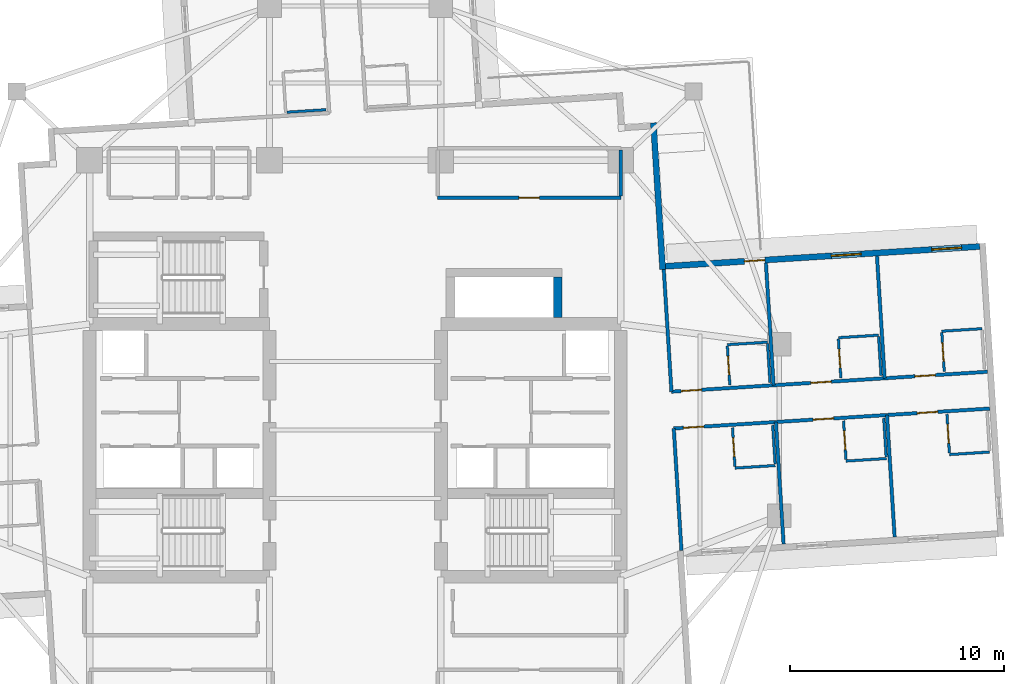
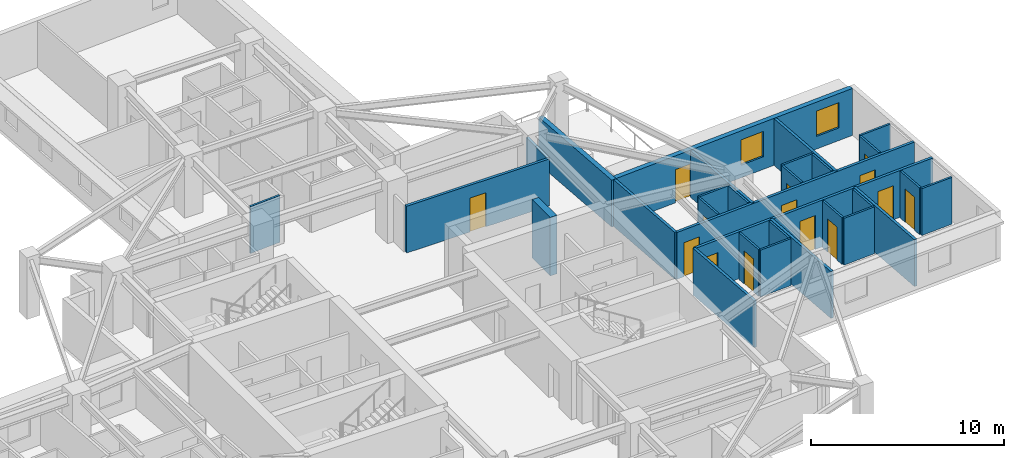
# One storey, part 7 of 14: 30 walls, 14 doors, 2 windows, 16 openings.
"""IFC4 building model written with IfcOpenShell, lengths in metres."""

from ifc_helpers import new_model, si_unit, direction, frame, frame_2d, origin, place, context, subcontext, project, spatial, rectangle, extrude, material, layer, layer_set, type_object, element, fill, save


model = new_model("IFC4")

# Units and contexts
model_context = context("Model", 3, precision=1e-05, world=origin(), true_north=direction((0.0, 1.0)))
body_context = subcontext(model_context, "Body", "Model", "MODEL_VIEW")
ifc_project = project(units=[si_unit("LENGTHUNIT", "METRE"), si_unit("AREAUNIT", "SQUARE_METRE"), si_unit("VOLUMEUNIT", "CUBIC_METRE"), si_unit("PLANEANGLEUNIT", "RADIAN"), si_unit("MASSUNIT", "GRAM", prefix="KILO")], contexts=[model_context])

# Site, building, storey
site_placement = place(None, origin())
site = spatial("IfcSite", under=ifc_project, at=site_placement, CompositionType="ELEMENT")
building_placement = place(site_placement, origin())
building = spatial("IfcBuilding", under=site, at=building_placement, Name="Qingluan Cross Belvedere", CompositionType="ELEMENT")
storey_placement = place(building_placement, frame((0.0, 0.0, 128.10009765625)))
storey = spatial("IfcBuildingStorey", under=building, at=storey_placement, Name="L32", CompositionType="ELEMENT", Elevation=128.10009765625)

# Wall
ifc_material_1 = material(Name="Concrete C50", Category="concrete")
ifc_layer_1 = layer(ifc_material_1, 0.449951171875, Name="CoreShearWall_450")
ifc_layer_set_1 = layer_set([ifc_layer_1], Name="Concrete C50")
wall_type_1 = type_object("IfcWallType", Name="CoreShearWall_450", PredefinedType="SHEAR", material=ifc_layer_set_1)
wall_1_placement = place(storey_placement, frame((9.449951171875, 5.2548828125, 0.0), z_axis=(0.0, 0.0, 1.0), x_axis=(0.0, 1.0, 0.0)))
element("IfcWall", 1, at=wall_1_placement, inside=storey, type_object=wall_type_1, Name="Express shuttle core wall L32-E", PredefinedType="SHEAR", context=body_context, shape_type="SweptSolid", body=[
    extrude(rectangle(XDim=1.885009765625, YDim=0.39990234375, at=frame_2d((0.9423828125, 0.0))), origin(), (0.0, 0.0, 1.0), 3.699951171875),
])

# Wall, opening, door
ifc_material_2 = material(Name="Gypsum plasterboard on steel stud acoustic partition", Category="steel")
ifc_layer_2 = layer(ifc_material_2, 0.159912109375, Name="CorridorPartition_160")
ifc_layer_set_2 = layer_set([ifc_layer_2], Name="Gypsum plasterboard on steel stud acoustic partition")
wall_type_2 = type_object("IfcWallType", Name="CorridorPartition_160", PredefinedType="PARTITIONING", material=ifc_layer_set_2)
wall_2_placement = place(storey_placement, frame((3.85009765625, 10.85009765625, 0.0), z_axis=(0.0, 0.0, 1.0), x_axis=(1.0, 0.0, 0.0)))
wall_2 = element("IfcWall", 2, at=wall_2_placement, inside=storey, type_object=wall_type_2, Name="Partition L32:q_ne:S", PredefinedType="PARTITIONING", context=body_context, shape_type="SweptSolid", body=[
    extrude(rectangle(XDim=8.5498046875, YDim=0.159912109375, at=frame_2d((4.27490234375, 0.0))), origin(), (0.0, 0.0, 1.0), 2.9599609375),
])
opening_1_placement = place(wall_2_placement, frame((3.794921875, 0.0, 0.0)))
opening_1 = element("IfcOpeningElement", 3, at=opening_1_placement, cuts=wall_2, Name="Opening GD-10", PredefinedType="OPENING", context=body_context, shape_type="SweptSolid", body=[
    extrude(rectangle(XDim=0.9599609375, YDim=2.14990234375, at=frame_2d((0.47998046875, 1.074951171875))), frame((0.0, 0.08984375, 0.0), z_axis=(0.0, -1.0, 0.0), x_axis=(1.0, 0.0, 0.0)), (0.0, 0.0, 1.0), 0.179931640625),
])
ifc_material_3 = material(Name="Timber oak fire-rated acoustic guestroom door", Category="wood")
door_type_1 = type_object("IfcDoorType", Name="GuestEntryDoor_FD60", OperationType="NOTDEFINED", PredefinedType="DOOR", material=ifc_material_3)
door_1_placement = place(opening_1_placement, origin())
door_1 = element("IfcDoor", 4, at=door_1_placement, inside=storey, type_object=door_type_1, Name="Pilates movement studio L32 door", OperationType="SINGLE_SWING_LEFT", OverallHeight=2.14990234375, OverallWidth=0.9599609375, PredefinedType="DOOR", context=body_context, shape_type="SweptSolid", body=[
    extrude(rectangle(XDim=0.9599609375, YDim=2.14990234375, at=frame_2d((0.47998046875, 1.074951171875))), frame((0.0, 0.02490234375, 0.0), z_axis=(0.0, -1.0, 0.0), x_axis=(1.0, 0.0, 0.0)), (0.0, 0.0, 1.0), 0.050048828125),
])
fill(opening_1, door_1)

# Wall
wall_3_placement = place(storey_placement, frame((12.39990234375, 10.93505859375, 0.0), z_axis=(0.0, 0.0, 1.0), x_axis=(0.0, 1.0, 0.0)))
element("IfcWall", 5, at=wall_3_placement, inside=storey, type_object=wall_type_2, Name="Partition L32:q_ne:E", PredefinedType="PARTITIONING", context=body_context, shape_type="SweptSolid", body=[
    extrude(rectangle(XDim=2.1298828125, YDim=0.159912109375, at=frame_2d((1.06494140625, 0.0))), origin(), (0.0, 0.0, 1.0), 2.9599609375),
])

# Wall, openings, doors
wall_4_placement = place(storey_placement, frame((14.7666015625, 1.790771484375, 0.0), z_axis=(0.0, 0.0, 1.0), x_axis=(0.998026529199, 0.062793686106, 0.0)))
wall_4 = element("IfcWall", 6, at=wall_4_placement, inside=storey, type_object=wall_type_2, Name="Partition L32:E:c0", PredefinedType="PARTITIONING", context=body_context, shape_type="SweptSolid", body=[
    extrude(rectangle(XDim=14.781982421875, YDim=0.159912109375, at=frame_2d((7.39111328125, 0.0))), origin(), (0.0, 0.0, 1.0), 2.9599609375),
])
opening_2_placement = place(wall_4_placement, frame((0.449951171875, 0.0, 0.0)))
opening_2 = element("IfcOpeningElement", 7, at=opening_2_placement, cuts=wall_4, Name="Opening GD-10", PredefinedType="OPENING", context=body_context, shape_type="SweptSolid", body=[
    extrude(rectangle(XDim=0.9599609375, YDim=2.14990234375, at=frame_2d((0.47998046875, 1.074951171875))), frame((0.0, 0.08984375, 0.0), z_axis=(0.0, -1.0, 0.0), x_axis=(1.0, 0.0, 0.0)), (0.0, 0.0, 1.0), 0.179931640625),
])
opening_3_placement = place(wall_4_placement, frame((6.513916015625, 0.0, 0.0)))
opening_3 = element("IfcOpeningElement", 8, at=opening_3_placement, cuts=wall_4, Name="Opening GD-10", PredefinedType="OPENING", context=body_context, shape_type="SweptSolid", body=[
    extrude(rectangle(XDim=0.9599609375, YDim=2.14990234375, at=frame_2d((0.47998046875, 1.074951171875))), frame((0.0, 0.08984375, 0.0), z_axis=(0.0, -1.0, 0.0), x_axis=(1.0, 0.0, 0.0)), (0.0, 0.0, 1.0), 0.179931640625),
])
opening_4_placement = place(wall_4_placement, frame((11.385986328125, 0.0, 0.0)))
opening_4 = element("IfcOpeningElement", 9, at=opening_4_placement, cuts=wall_4, Name="Opening GD-10", PredefinedType="OPENING", context=body_context, shape_type="SweptSolid", body=[
    extrude(rectangle(XDim=0.9599609375, YDim=2.14990234375, at=frame_2d((0.47998046875, 1.074951171875))), frame((0.0, 0.08984375, 0.0), z_axis=(0.0, -1.0, 0.0), x_axis=(1.0, 0.0, 0.0)), (0.0, 0.0, 1.0), 0.179931640625),
])
door_2_placement = place(opening_2_placement, origin())
door_2 = element("IfcDoor", 10, at=door_2_placement, inside=storey, type_object=door_type_1, Name="Guest entry fire door 3201", OperationType="SINGLE_SWING_RIGHT", OverallHeight=2.14990234375, OverallWidth=0.9599609375, PredefinedType="DOOR", context=body_context, shape_type="SweptSolid", body=[
    extrude(rectangle(XDim=0.9599609375, YDim=2.14990234375, at=frame_2d((0.47998046875, 1.074951171875))), frame((0.0, 0.02490234375, 0.0), z_axis=(0.0, -1.0, 0.0), x_axis=(1.0, 0.0, 0.0)), (0.0, 0.0, 1.0), 0.050048828125),
])
fill(opening_2, door_2)
door_3_placement = place(opening_3_placement, origin())
door_3 = element("IfcDoor", 11, at=door_3_placement, inside=storey, type_object=door_type_1, Name="Guest entry fire door 3202", OperationType="SINGLE_SWING_RIGHT", OverallHeight=2.14990234375, OverallWidth=0.9599609375, PredefinedType="DOOR", context=body_context, shape_type="SweptSolid", body=[
    extrude(rectangle(XDim=0.9599609375, YDim=2.14990234375, at=frame_2d((0.47998046875, 1.074951171875))), frame((0.0, 0.02490234375, 0.0), z_axis=(0.0, -1.0, 0.0), x_axis=(1.0, 0.0, 0.0)), (0.0, 0.0, 1.0), 0.050048828125),
])
fill(opening_3, door_3)
door_4_placement = place(opening_4_placement, origin())
door_4 = element("IfcDoor", 12, at=door_4_placement, inside=storey, type_object=door_type_1, Name="Guest entry fire door 3203", OperationType="SINGLE_SWING_RIGHT", OverallHeight=2.14990234375, OverallWidth=0.9599609375, PredefinedType="DOOR", context=body_context, shape_type="SweptSolid", body=[
    extrude(rectangle(XDim=0.9599609375, YDim=2.14990234375, at=frame_2d((0.47998046875, 1.074951171875))), frame((0.0, 0.02490234375, 0.0), z_axis=(0.0, -1.0, 0.0), x_axis=(1.0, 0.0, 0.0)), (0.0, 0.0, 1.0), 0.050048828125),
])
fill(opening_4, door_4)

# Walls
for number, where, z_axis, x_axis, name in (
    (13, (14.7666015625, 1.790771484375, 0.0), (0.0, 0.0, 1.0), (-0.062788072387, 0.998026882386, 0.0), "Partition L32:E:s0"),
    (14, (19.535400390625, 2.0908203125, 0.0), (0.0, 0.0, 1.0), (-0.062830645762, 0.99802420309, 0.0), "Partition L32:E:d0_0"),
    (15, (24.719970703125, 2.4169921875, 0.0), (0.0, 0.0, 1.0), (-0.062788072387, 0.998026882386, 0.0), "Partition L32:E:d0_1"),
):
    element("IfcWall", number, at=place(storey_placement, frame(where, z_axis=z_axis, x_axis=x_axis)), inside=storey, type_object=wall_type_2, Name=name, PredefinedType="PARTITIONING", context=body_context, shape_type="SweptSolid", body=[
        extrude(rectangle(XDim=5.7119140625, YDim=0.159912109375, at=frame_2d((2.85595703125, 0.0))), origin(), (0.0, 0.0, 1.0), 2.9599609375),
    ])

# Wall, openings, doors
wall_5_placement = place(storey_placement, frame((14.874755859375, 0.07421875, 0.0), z_axis=(0.0, 0.0, 1.0), x_axis=(0.998027499025, 0.062778270041, 0.0)))
wall_5 = element("IfcWall", 16, at=wall_5_placement, inside=storey, type_object=wall_type_2, Name="Partition L32:E:c1", PredefinedType="PARTITIONING", context=body_context, shape_type="SweptSolid", body=[
    extrude(rectangle(XDim=14.78173828125, YDim=0.159912109375, at=frame_2d((7.390869140625, 0.0))), origin(), (0.0, 0.0, 1.0), 2.9599609375),
])
opening_5_placement = place(wall_5_placement, frame((0.449951171875, 0.0, 0.0)))
opening_5 = element("IfcOpeningElement", 17, at=opening_5_placement, cuts=wall_5, Name="Opening GD-10", PredefinedType="OPENING", context=body_context, shape_type="SweptSolid", body=[
    extrude(rectangle(XDim=0.9599609375, YDim=2.14990234375, at=frame_2d((0.47998046875, 1.074951171875))), frame((0.0, 0.08984375, 0.0), z_axis=(0.0, -1.0, 0.0), x_axis=(1.0, 0.0, 0.0)), (0.0, 0.0, 1.0), 0.179931640625),
])
opening_6_placement = place(wall_5_placement, frame((6.513916015625, 0.0, 0.0)))
opening_6 = element("IfcOpeningElement", 18, at=opening_6_placement, cuts=wall_5, Name="Opening GD-10", PredefinedType="OPENING", context=body_context, shape_type="SweptSolid", body=[
    extrude(rectangle(XDim=0.9599609375, YDim=2.14990234375, at=frame_2d((0.47998046875, 1.074951171875))), frame((0.0, 0.08984375, 0.0), z_axis=(0.0, -1.0, 0.0), x_axis=(1.0, 0.0, 0.0)), (0.0, 0.0, 1.0), 0.179931640625),
])
opening_7_placement = place(wall_5_placement, frame((11.385986328125, 0.0, 0.0)))
opening_7 = element("IfcOpeningElement", 19, at=opening_7_placement, cuts=wall_5, Name="Opening GD-10", PredefinedType="OPENING", context=body_context, shape_type="SweptSolid", body=[
    extrude(rectangle(XDim=0.9599609375, YDim=2.14990234375, at=frame_2d((0.47998046875, 1.074951171875))), frame((0.0, 0.08984375, 0.0), z_axis=(0.0, -1.0, 0.0), x_axis=(1.0, 0.0, 0.0)), (0.0, 0.0, 1.0), 0.179931640625),
])
door_5_placement = place(opening_5_placement, origin())
door_5 = element("IfcDoor", 20, at=door_5_placement, inside=storey, type_object=door_type_1, Name="Guest entry fire door 3204", OperationType="SINGLE_SWING_RIGHT", OverallHeight=2.14990234375, OverallWidth=0.9599609375, PredefinedType="DOOR", context=body_context, shape_type="SweptSolid", body=[
    extrude(rectangle(XDim=0.9599609375, YDim=2.14990234375, at=frame_2d((0.47998046875, 1.074951171875))), frame((0.0, 0.02490234375, 0.0), z_axis=(0.0, -1.0, 0.0), x_axis=(1.0, 0.0, 0.0)), (0.0, 0.0, 1.0), 0.050048828125),
])
fill(opening_5, door_5)
door_6_placement = place(opening_6_placement, origin())
door_6 = element("IfcDoor", 21, at=door_6_placement, inside=storey, type_object=door_type_1, Name="Guest entry fire door 3205", OperationType="SINGLE_SWING_RIGHT", OverallHeight=2.14990234375, OverallWidth=0.9599609375, PredefinedType="DOOR", context=body_context, shape_type="SweptSolid", body=[
    extrude(rectangle(XDim=0.9599609375, YDim=2.14990234375, at=frame_2d((0.47998046875, 1.074951171875))), frame((0.0, 0.02490234375, 0.0), z_axis=(0.0, -1.0, 0.0), x_axis=(1.0, 0.0, 0.0)), (0.0, 0.0, 1.0), 0.050048828125),
])
fill(opening_6, door_6)
door_7_placement = place(opening_7_placement, origin())
door_7 = element("IfcDoor", 22, at=door_7_placement, inside=storey, type_object=door_type_1, Name="Guest entry fire door 3206", OperationType="SINGLE_SWING_RIGHT", OverallHeight=2.14990234375, OverallWidth=0.9599609375, PredefinedType="DOOR", context=body_context, shape_type="SweptSolid", body=[
    extrude(rectangle(XDim=0.9599609375, YDim=2.14990234375, at=frame_2d((0.47998046875, 1.074951171875))), frame((0.0, 0.02490234375, 0.0), z_axis=(0.0, -1.0, 0.0), x_axis=(1.0, 0.0, 0.0)), (0.0, 0.0, 1.0), 0.050048828125),
])
fill(opening_7, door_7)

# Walls
wall_6_placement = place(storey_placement, frame((14.874755859375, 0.07421875, 0.0), z_axis=(0.0, 0.0, 1.0), x_axis=(0.062785394105, -0.998027050879, 0.0)))
element("IfcWall", 23, at=wall_6_placement, inside=storey, type_object=wall_type_2, Name="Partition L32:E:s1", PredefinedType="PARTITIONING", context=body_context, shape_type="SweptSolid", body=[
    extrude(rectangle(XDim=5.712158203125, YDim=0.159912109375, at=frame_2d((2.85595703125, 0.0))), origin(), (0.0, 0.0, 1.0), 2.9599609375),
])
for number, where, z_axis, x_axis, name in (
    (24, (19.643310546875, 0.3740234375, 0.0), (0.0, 0.0, 1.0), (0.062790750896, -0.998026713872, 0.0), "Partition L32:E:d1_0"),
    (25, (24.827880859375, 0.7001953125, 0.0), (0.0, 0.0, 1.0), (0.062833326074, -0.998024034347, 0.0), "Partition L32:E:d1_1"),
):
    element("IfcWall", number, at=place(storey_placement, frame(where, z_axis=z_axis, x_axis=x_axis)), inside=storey, type_object=wall_type_2, Name=name, PredefinedType="PARTITIONING", context=body_context, shape_type="SweptSolid", body=[
        extrude(rectangle(XDim=5.711669921875, YDim=0.159912109375, at=frame_2d((2.85595703125, 0.0))), origin(), (0.0, 0.0, 1.0), 2.9599609375),
    ])

# Wall, opening, door
ifc_material_4 = material(Name="Moisture-resistant gypsum board lining")
ifc_layer_3 = layer(ifc_material_4, 0.1201171875, Name="EnsuiteWetPartition_120")
ifc_layer_set_3 = layer_set([ifc_layer_3], Name="Moisture-resistant gypsum board lining")
wall_type_3 = type_object("IfcWallType", Name="EnsuiteWetPartition_120", PredefinedType="PARTITIONING", material=ifc_layer_set_3)
wall_7_placement = place(storey_placement, frame((17.490478515625, 2.102294921875, 0.0), z_axis=(0.0, 0.0, 1.0), x_axis=(-0.062779145668, 0.998027443946, 0.0)))
wall_7 = element("IfcWall", 26, at=wall_7_placement, inside=storey, type_object=wall_type_3, Name="Partition L32:E:bs0_0", PredefinedType="PARTITIONING", context=body_context, shape_type="SweptSolid", body=[
    extrude(rectangle(XDim=1.820068359375, YDim=0.1201171875, at=frame_2d((0.91015625, 0.0))), origin(), (0.0, 0.0, 1.0), 2.9599609375),
])
opening_8_placement = place(wall_7_placement, frame((0.469970703125, 0.0, 0.0)))
opening_8 = element("IfcOpeningElement", 27, at=opening_8_placement, cuts=wall_7, Name="Opening BD-09", PredefinedType="OPENING", context=body_context, shape_type="SweptSolid", body=[
    extrude(rectangle(XDim=0.8798828125, YDim=2.10009765625, at=frame_2d((0.43994140625, 1.050048828125))), frame((0.0, 0.070068359375, 0.0), z_axis=(0.0, -1.0, 0.0), x_axis=(1.0, 0.0, 0.0)), (0.0, 0.0, 1.0), 0.14013671875),
])
ifc_material_5 = material(Name="Moisture-sealed timber en-suite door", Category="wood")
door_type_2 = type_object("IfcDoorType", Name="BathroomDoor_880", OperationType="NOTDEFINED", PredefinedType="DOOR", material=ifc_material_5)
door_8_placement = place(opening_8_placement, origin())
door_8 = element("IfcDoor", 28, at=door_8_placement, inside=storey, type_object=door_type_2, Name="Bathroom door 3201", OperationType="SINGLE_SWING_LEFT", OverallHeight=2.10009765625, OverallWidth=0.8798828125, PredefinedType="DOOR", context=body_context, shape_type="SweptSolid", body=[
    extrude(rectangle(XDim=0.8798828125, YDim=2.10009765625, at=frame_2d((0.43994140625, 1.050048828125))), frame((0.0, 0.02490234375, 0.0), z_axis=(0.0, -1.0, 0.0), x_axis=(1.0, 0.0, 0.0)), (0.0, 0.0, 1.0), 0.050048828125),
])
fill(opening_8, door_8)

# Walls
wall_8_placement = place(storey_placement, frame((19.36669921875, 2.220458984375, 0.0), z_axis=(0.0, 0.0, 1.0), x_axis=(-0.062779145668, 0.998027443946, 0.0)))
element("IfcWall", 29, at=wall_8_placement, inside=storey, type_object=wall_type_3, Name="Partition L32:E:bw0_0", PredefinedType="PARTITIONING", context=body_context, shape_type="SweptSolid", body=[
    extrude(rectangle(XDim=1.820068359375, YDim=0.1201171875, at=frame_2d((0.91015625, 0.0))), origin(), (0.0, 0.0, 1.0), 2.9599609375),
])
wall_9_placement = place(storey_placement, frame((17.3720703125, 3.983642578125, 0.0), z_axis=(0.0, 0.0, 1.0), x_axis=(0.998022650819, 0.062855297722, 0.0)))
element("IfcWall", 30, at=wall_9_placement, inside=storey, type_object=wall_type_3, Name="Partition L32:E:bn0_0", PredefinedType="PARTITIONING", context=body_context, shape_type="SweptSolid", body=[
    extrude(rectangle(XDim=1.8798828125, YDim=0.1201171875, at=frame_2d((0.93994140625, 0.0))), origin(), (0.0, 0.0, 1.0), 2.9599609375),
])

# Wall, opening, door
wall_10_placement = place(storey_placement, frame((22.67529296875, 2.4287109375, 0.0), z_axis=(0.0, 0.0, 1.0), x_axis=(-0.062779145668, 0.998027443946, 0.0)))
wall_10 = element("IfcWall", 31, at=wall_10_placement, inside=storey, type_object=wall_type_3, Name="Partition L32:E:bs0_1", PredefinedType="PARTITIONING", context=body_context, shape_type="SweptSolid", body=[
    extrude(rectangle(XDim=1.820068359375, YDim=0.1201171875, at=frame_2d((0.91015625, 0.0))), origin(), (0.0, 0.0, 1.0), 2.9599609375),
])
opening_9_placement = place(wall_10_placement, frame((0.469970703125, 0.0, 0.0)))
opening_9 = element("IfcOpeningElement", 32, at=opening_9_placement, cuts=wall_10, Name="Opening BD-09", PredefinedType="OPENING", context=body_context, shape_type="SweptSolid", body=[
    extrude(rectangle(XDim=0.8798828125, YDim=2.10009765625, at=frame_2d((0.43994140625, 1.050048828125))), frame((0.0, 0.070068359375, 0.0), z_axis=(0.0, -1.0, 0.0), x_axis=(1.0, 0.0, 0.0)), (0.0, 0.0, 1.0), 0.14013671875),
])
door_9_placement = place(opening_9_placement, origin())
door_9 = element("IfcDoor", 33, at=door_9_placement, inside=storey, type_object=door_type_2, Name="Bathroom door 3202", OperationType="SINGLE_SWING_LEFT", OverallHeight=2.10009765625, OverallWidth=0.8798828125, PredefinedType="DOOR", context=body_context, shape_type="SweptSolid", body=[
    extrude(rectangle(XDim=0.8798828125, YDim=2.10009765625, at=frame_2d((0.43994140625, 1.050048828125))), frame((0.0, 0.02490234375, 0.0), z_axis=(0.0, -1.0, 0.0), x_axis=(1.0, 0.0, 0.0)), (0.0, 0.0, 1.0), 0.050048828125),
])
fill(opening_9, door_9)

# Walls
wall_11_placement = place(storey_placement, frame((24.551513671875, 2.546630859375, 0.0), z_axis=(0.0, 0.0, 1.0), x_axis=(-0.062779145668, 0.998027443946, 0.0)))
element("IfcWall", 34, at=wall_11_placement, inside=storey, type_object=wall_type_3, Name="Partition L32:E:bw0_1", PredefinedType="PARTITIONING", context=body_context, shape_type="SweptSolid", body=[
    extrude(rectangle(XDim=1.820068359375, YDim=0.1201171875, at=frame_2d((0.91015625, 0.0))), origin(), (0.0, 0.0, 1.0), 2.9599609375),
])
wall_12_placement = place(storey_placement, frame((22.556884765625, 4.309814453125, 0.0), z_axis=(0.0, 0.0, 1.0), x_axis=(0.998022650819, 0.062855297722, 0.0)))
element("IfcWall", 35, at=wall_12_placement, inside=storey, type_object=wall_type_3, Name="Partition L32:E:bn0_1", PredefinedType="PARTITIONING", context=body_context, shape_type="SweptSolid", body=[
    extrude(rectangle(XDim=1.8798828125, YDim=0.1201171875, at=frame_2d((0.93994140625, 0.0))), origin(), (0.0, 0.0, 1.0), 2.9599609375),
])

# Wall, opening, door
wall_13_placement = place(storey_placement, frame((27.502685546875, 2.732421875, 0.0), z_axis=(0.0, 0.0, 1.0), x_axis=(-0.062787551592, 0.998026915151, 0.0)))
wall_13 = element("IfcWall", 36, at=wall_13_placement, inside=storey, type_object=wall_type_3, Name="Partition L32:E:bs0_2", PredefinedType="PARTITIONING", context=body_context, shape_type="SweptSolid", body=[
    extrude(rectangle(XDim=1.81982421875, YDim=0.1201171875, at=frame_2d((0.909912109375, 0.0))), origin(), (0.0, 0.0, 1.0), 2.9599609375),
])
opening_10_placement = place(wall_13_placement, frame((0.469970703125, 0.0, 0.0)))
opening_10 = element("IfcOpeningElement", 37, at=opening_10_placement, cuts=wall_13, Name="Opening BD-09", PredefinedType="OPENING", context=body_context, shape_type="SweptSolid", body=[
    extrude(rectangle(XDim=0.8798828125, YDim=2.10009765625, at=frame_2d((0.43994140625, 1.050048828125))), frame((0.0, 0.070068359375, 0.0), z_axis=(0.0, -1.0, 0.0), x_axis=(1.0, 0.0, 0.0)), (0.0, 0.0, 1.0), 0.14013671875),
])
door_10_placement = place(opening_10_placement, origin())
door_10 = element("IfcDoor", 38, at=door_10_placement, inside=storey, type_object=door_type_2, Name="Bathroom door 3203", OperationType="SINGLE_SWING_LEFT", OverallHeight=2.10009765625, OverallWidth=0.8798828125, PredefinedType="DOOR", context=body_context, shape_type="SweptSolid", body=[
    extrude(rectangle(XDim=0.8798828125, YDim=2.10009765625, at=frame_2d((0.43994140625, 1.050048828125))), frame((0.0, 0.02490234375, 0.0), z_axis=(0.0, -1.0, 0.0), x_axis=(1.0, 0.0, 0.0)), (0.0, 0.0, 1.0), 0.050048828125),
])
fill(opening_10, door_10)

# Wall
wall_14_placement = place(storey_placement, frame((27.38427734375, 4.613525390625, 0.0), z_axis=(0.0, 0.0, 1.0), x_axis=(0.998022650819, 0.062855297722, 0.0)))
element("IfcWall", 39, at=wall_14_placement, inside=storey, type_object=wall_type_3, Name="Partition L32:E:bn0_2", PredefinedType="PARTITIONING", context=body_context, shape_type="SweptSolid", body=[
    extrude(rectangle(XDim=1.8798828125, YDim=0.1201171875, at=frame_2d((0.93994140625, 0.0))), origin(), (0.0, 0.0, 1.0), 2.9599609375),
])

# Wall, opening, door
wall_15_placement = place(storey_placement, frame((17.73046875, -1.710205078125, 0.0), z_axis=(0.0, 0.0, 1.0), x_axis=(-0.062779145668, 0.998027443946, 0.0)))
wall_15 = element("IfcWall", 40, at=wall_15_placement, inside=storey, type_object=wall_type_3, Name="Partition L32:E:bs1_0", PredefinedType="PARTITIONING", context=body_context, shape_type="SweptSolid", body=[
    extrude(rectangle(XDim=1.820068359375, YDim=0.1201171875, at=frame_2d((0.91015625, 0.0))), origin(), (0.0, 0.0, 1.0), 2.9599609375),
])
opening_11_placement = place(wall_15_placement, frame((0.469970703125, 0.0, 0.0)))
opening_11 = element("IfcOpeningElement", 41, at=opening_11_placement, cuts=wall_15, Name="Opening BD-09", PredefinedType="OPENING", context=body_context, shape_type="SweptSolid", body=[
    extrude(rectangle(XDim=0.8798828125, YDim=2.10009765625, at=frame_2d((0.43994140625, 1.050048828125))), frame((0.0, 0.070068359375, 0.0), z_axis=(0.0, -1.0, 0.0), x_axis=(1.0, 0.0, 0.0)), (0.0, 0.0, 1.0), 0.14013671875),
])
door_11_placement = place(opening_11_placement, origin())
door_11 = element("IfcDoor", 42, at=door_11_placement, inside=storey, type_object=door_type_2, Name="Bathroom door 3204", OperationType="SINGLE_SWING_LEFT", OverallHeight=2.10009765625, OverallWidth=0.8798828125, PredefinedType="DOOR", context=body_context, shape_type="SweptSolid", body=[
    extrude(rectangle(XDim=0.8798828125, YDim=2.10009765625, at=frame_2d((0.43994140625, 1.050048828125))), frame((0.0, 0.02490234375, 0.0), z_axis=(0.0, -1.0, 0.0), x_axis=(1.0, 0.0, 0.0)), (0.0, 0.0, 1.0), 0.050048828125),
])
fill(opening_11, door_11)

# Walls
wall_16_placement = place(storey_placement, frame((19.606689453125, -1.592041015625, 0.0), z_axis=(0.0, 0.0, 1.0), x_axis=(-0.062779145668, 0.998027443946, 0.0)))
element("IfcWall", 43, at=wall_16_placement, inside=storey, type_object=wall_type_3, Name="Partition L32:E:bw1_0", PredefinedType="PARTITIONING", context=body_context, shape_type="SweptSolid", body=[
    extrude(rectangle(XDim=1.820068359375, YDim=0.1201171875, at=frame_2d((0.91015625, 0.0))), origin(), (0.0, 0.0, 1.0), 2.9599609375),
])
wall_17_placement = place(storey_placement, frame((17.734375, -1.77490234375, 0.0), z_axis=(0.0, 0.0, 1.0), x_axis=(0.998030789148, 0.062725942896, 0.0)))
element("IfcWall", 44, at=wall_17_placement, inside=storey, type_object=wall_type_3, Name="Partition L32:E:bc1_0", PredefinedType="PARTITIONING", context=body_context, shape_type="SweptSolid", body=[
    extrude(rectangle(XDim=1.8798828125, YDim=0.1201171875, at=frame_2d((0.93994140625, 0.0))), origin(), (0.0, 0.0, 1.0), 2.9599609375),
])

# Wall, opening, door
wall_18_placement = place(storey_placement, frame((22.9150390625, -1.3837890625, 0.0), z_axis=(0.0, 0.0, 1.0), x_axis=(-0.062779145668, 0.998027443946, 0.0)))
wall_18 = element("IfcWall", 45, at=wall_18_placement, inside=storey, type_object=wall_type_3, Name="Partition L32:E:bs1_1", PredefinedType="PARTITIONING", context=body_context, shape_type="SweptSolid", body=[
    extrude(rectangle(XDim=1.820068359375, YDim=0.1201171875, at=frame_2d((0.91015625, 0.0))), origin(), (0.0, 0.0, 1.0), 2.9599609375),
])
opening_12_placement = place(wall_18_placement, frame((0.469970703125, 0.0, 0.0)))
opening_12 = element("IfcOpeningElement", 46, at=opening_12_placement, cuts=wall_18, Name="Opening BD-09", PredefinedType="OPENING", context=body_context, shape_type="SweptSolid", body=[
    extrude(rectangle(XDim=0.8798828125, YDim=2.10009765625, at=frame_2d((0.43994140625, 1.050048828125))), frame((0.0, 0.070068359375, 0.0), z_axis=(0.0, -1.0, 0.0), x_axis=(1.0, 0.0, 0.0)), (0.0, 0.0, 1.0), 0.14013671875),
])
door_12_placement = place(opening_12_placement, origin())
door_12 = element("IfcDoor", 47, at=door_12_placement, inside=storey, type_object=door_type_2, Name="Bathroom door 3205", OperationType="SINGLE_SWING_LEFT", OverallHeight=2.10009765625, OverallWidth=0.8798828125, PredefinedType="DOOR", context=body_context, shape_type="SweptSolid", body=[
    extrude(rectangle(XDim=0.8798828125, YDim=2.10009765625, at=frame_2d((0.43994140625, 1.050048828125))), frame((0.0, 0.02490234375, 0.0), z_axis=(0.0, -1.0, 0.0), x_axis=(1.0, 0.0, 0.0)), (0.0, 0.0, 1.0), 0.050048828125),
])
fill(opening_12, door_12)

# Walls
wall_19_placement = place(storey_placement, frame((24.79150390625, -1.265869140625, 0.0), z_axis=(0.0, 0.0, 1.0), x_axis=(-0.062912758763, 0.998019030272, 0.0)))
element("IfcWall", 48, at=wall_19_placement, inside=storey, type_object=wall_type_3, Name="Partition L32:E:bw1_1", PredefinedType="PARTITIONING", context=body_context, shape_type="SweptSolid", body=[
    extrude(rectangle(XDim=1.820068359375, YDim=0.1201171875, at=frame_2d((0.91015625, 0.0))), origin(), (0.0, 0.0, 1.0), 2.9599609375),
])
wall_20_placement = place(storey_placement, frame((22.919189453125, -1.44873046875, 0.0), z_axis=(0.0, 0.0, 1.0), x_axis=(0.998030789148, 0.062725942896, 0.0)))
element("IfcWall", 49, at=wall_20_placement, inside=storey, type_object=wall_type_3, Name="Partition L32:E:bc1_1", PredefinedType="PARTITIONING", context=body_context, shape_type="SweptSolid", body=[
    extrude(rectangle(XDim=1.8798828125, YDim=0.1201171875, at=frame_2d((0.93994140625, 0.0))), origin(), (0.0, 0.0, 1.0), 2.9599609375),
])

# Wall, opening, door
wall_21_placement = place(storey_placement, frame((27.74267578125, -1.080078125, 0.0), z_axis=(0.0, 0.0, 1.0), x_axis=(-0.062787551592, 0.998026915151, 0.0)))
wall_21 = element("IfcWall", 50, at=wall_21_placement, inside=storey, type_object=wall_type_3, Name="Partition L32:E:bs1_2", PredefinedType="PARTITIONING", context=body_context, shape_type="SweptSolid", body=[
    extrude(rectangle(XDim=1.81982421875, YDim=0.1201171875, at=frame_2d((0.909912109375, 0.0))), origin(), (0.0, 0.0, 1.0), 2.9599609375),
])
opening_13_placement = place(wall_21_placement, frame((0.469970703125, 0.0, 0.0)))
opening_13 = element("IfcOpeningElement", 51, at=opening_13_placement, cuts=wall_21, Name="Opening BD-09", PredefinedType="OPENING", context=body_context, shape_type="SweptSolid", body=[
    extrude(rectangle(XDim=0.8798828125, YDim=2.10009765625, at=frame_2d((0.43994140625, 1.050048828125))), frame((0.0, 0.070068359375, 0.0), z_axis=(0.0, -1.0, 0.0), x_axis=(1.0, 0.0, 0.0)), (0.0, 0.0, 1.0), 0.14013671875),
])
door_13_placement = place(opening_13_placement, origin())
door_13 = element("IfcDoor", 52, at=door_13_placement, inside=storey, type_object=door_type_2, Name="Bathroom door 3206", OperationType="SINGLE_SWING_LEFT", OverallHeight=2.10009765625, OverallWidth=0.8798828125, PredefinedType="DOOR", context=body_context, shape_type="SweptSolid", body=[
    extrude(rectangle(XDim=0.8798828125, YDim=2.10009765625, at=frame_2d((0.43994140625, 1.050048828125))), frame((0.0, 0.02490234375, 0.0), z_axis=(0.0, -1.0, 0.0), x_axis=(1.0, 0.0, 0.0)), (0.0, 0.0, 1.0), 0.050048828125),
])
fill(opening_13, door_13)

# Walls
wall_22_placement = place(storey_placement, frame((27.74658203125, -1.14501953125, 0.0), z_axis=(0.0, 0.0, 1.0), x_axis=(0.998030789148, 0.062725942896, 0.0)))
element("IfcWall", 53, at=wall_22_placement, inside=storey, type_object=wall_type_3, Name="Partition L32:E:bc1_2", PredefinedType="PARTITIONING", context=body_context, shape_type="SweptSolid", body=[
    extrude(rectangle(XDim=1.8798828125, YDim=0.1201171875, at=frame_2d((0.93994140625, 0.0))), origin(), (0.0, 0.0, 1.0), 2.9599609375),
])
wall_23_placement = place(storey_placement, frame((-3.177978515625, 14.839599609375, 0.0), z_axis=(0.0, 0.0, 1.0), x_axis=(0.998018499228, 0.062921182436, 0.0)))
element("IfcWall", 54, at=wall_23_placement, inside=storey, type_object=wall_type_3, Name="Partition L32:N:bw1_0", PredefinedType="PARTITIONING", context=body_context, shape_type="SweptSolid", body=[
    extrude(rectangle(XDim=1.81982421875, YDim=0.1201171875, at=frame_2d((0.909912109375, 0.0))), origin(), (0.0, 0.0, 1.0), 2.9599609375),
])

# Wall, openings, windows, door
ifc_material_6 = material(Name="Precast concrete C45", Category="concrete")
ifc_layer_4 = layer(ifc_material_6, 0.280029296875, Name="PrecastFacadeWall_280")
ifc_layer_set_4 = layer_set([ifc_layer_4], Name="Precast concrete C45")
wall_type_4 = type_object("IfcWallType", Name="PrecastFacadeWall_280", PredefinedType="STANDARD", material=ifc_layer_set_4)
wall_24_placement = place(storey_placement, frame((29.15966796875, 8.56787109375, 0.0), z_axis=(0.0, 0.0, 1.0), x_axis=(-0.998026448555, -0.062794967833, 0.0)))
wall_24 = element("IfcWall", 55, at=wall_24_placement, inside=storey, type_object=wall_type_4, Name="Facade wall L32-EB", PredefinedType="STANDARD", context=body_context, shape_type="SweptSolid", body=[
    extrude(rectangle(XDim=14.7001953125, YDim=0.280029296875, at=frame_2d((7.35009765625, 0.0))), origin(), (0.0, 0.0, 1.0), 2.969970703125),
])
opening_14_placement = place(wall_24_placement, frame((0.85009765625, 0.0, 0.800048828125)))
opening_14 = element("IfcOpeningElement", 56, at=opening_14_placement, cuts=wall_24, Name="Opening W-01", PredefinedType="OPENING", context=body_context, shape_type="SweptSolid", body=[
    extrude(rectangle(XDim=1.39990234375, YDim=1.60009765625, at=frame_2d((0.699951171875, 0.800048828125))), frame((0.0, 0.14990234375, 0.0), z_axis=(0.0, -1.0, 0.0), x_axis=(1.0, 0.0, 0.0)), (0.0, 0.0, 1.0), 0.300048828125),
])
opening_15_placement = place(wall_24_placement, frame((5.550048828125, 0.0, 0.800048828125)))
opening_15 = element("IfcOpeningElement", 57, at=opening_15_placement, cuts=wall_24, Name="Opening W-01", PredefinedType="OPENING", context=body_context, shape_type="SweptSolid", body=[
    extrude(rectangle(XDim=1.39990234375, YDim=1.60009765625, at=frame_2d((0.699951171875, 0.800048828125))), frame((0.0, 0.14990234375, 0.0), z_axis=(0.0, -1.0, 0.0), x_axis=(1.0, 0.0, 0.0)), (0.0, 0.0, 1.0), 0.300048828125),
])
opening_16_placement = place(wall_24_placement, frame((10.050048828125, 0.0, 0.0)))
opening_16 = element("IfcOpeningElement", 58, at=opening_16_placement, cuts=wall_24, Name="Opening WD-10", PredefinedType="OPENING", context=body_context, shape_type="SweptSolid", body=[
    extrude(rectangle(XDim=0.9599609375, YDim=2.10009765625, at=frame_2d((0.47998046875, 1.050048828125))), frame((0.0, 0.14990234375, 0.0), z_axis=(0.0, -1.0, 0.0), x_axis=(1.0, 0.0, 0.0)), (0.0, 0.0, 1.0), 0.300048828125),
])
ifc_material_7 = material(Name="Thermally broken triple Low-E glass in aluminium frame", Category="aluminium")
window_type = type_object("IfcWindowType", Name="TriRibbonWin_1400x1600", PartitioningType="SINGLE_PANEL", PredefinedType="WINDOW", material=ifc_material_7)
window_1_placement = place(opening_14_placement, origin())
window_1 = element("IfcWindow", 59, at=window_1_placement, inside=storey, type_object=window_type, Name="Ribbon window L32-EB-1", OverallHeight=1.60009765625, OverallWidth=1.39990234375, PartitioningType="SINGLE_PANEL", PredefinedType="WINDOW", context=body_context, shape_type="SweptSolid", body=[
    extrude(rectangle(XDim=1.39990234375, YDim=1.60009765625, at=frame_2d((0.699951171875, 0.800048828125))), frame((0.0, 0.030029296875, 0.0), z_axis=(0.0, -1.0, 0.0), x_axis=(1.0, 0.0, 0.0)), (0.0, 0.0, 1.0), 0.06005859375),
])
fill(opening_14, window_1)
window_2_placement = place(opening_15_placement, origin())
window_2 = element("IfcWindow", 60, at=window_2_placement, inside=storey, type_object=window_type, Name="Ribbon window L32-EB-2", OverallHeight=1.60009765625, OverallWidth=1.39990234375, PartitioningType="SINGLE_PANEL", PredefinedType="WINDOW", context=body_context, shape_type="SweptSolid", body=[
    extrude(rectangle(XDim=1.39990234375, YDim=1.60009765625, at=frame_2d((0.699951171875, 0.800048828125))), frame((0.0, 0.030029296875, 0.0), z_axis=(0.0, -1.0, 0.0), x_axis=(1.0, 0.0, 0.0)), (0.0, 0.0, 1.0), 0.06005859375),
])
fill(opening_15, window_2)
ifc_material_8 = material(Name="Thermally broken aluminium and Low-E glass", Category="aluminium")
door_type_3 = type_object("IfcDoorType", Name="WinterGardenDoor_096", OperationType="NOTDEFINED", PredefinedType="DOOR", material=ifc_material_8)
door_14_placement = place(opening_16_placement, origin())
door_14 = element("IfcDoor", 61, at=door_14_placement, inside=storey, type_object=door_type_3, Name="Outdoor terrace access door L32-spi", OperationType="SINGLE_SWING_RIGHT", OverallHeight=2.10009765625, OverallWidth=0.9599609375, PredefinedType="DOOR", context=body_context, shape_type="SweptSolid", body=[
    extrude(rectangle(XDim=0.9599609375, YDim=2.10009765625, at=frame_2d((0.47998046875, 1.050048828125))), frame((0.0, 0.02490234375, 0.0), z_axis=(0.0, -1.0, 0.0), x_axis=(1.0, 0.0, 0.0)), (0.0, 0.0, 1.0), 0.050048828125),
])
fill(opening_16, door_14)

# Wall
wall_25_placement = place(storey_placement, frame((14.357666015625, 7.496337890625, 0.0), z_axis=(0.0, 0.0, 1.0), x_axis=(-0.062779317195, 0.998027433156, 0.0)))
element("IfcWall", 62, at=wall_25_placement, inside=storey, type_object=wall_type_4, Name="Corner wall L32-NE1", PredefinedType="STANDARD", context=body_context, shape_type="SweptSolid", body=[
    extrude(rectangle(XDim=6.85986328125, YDim=0.280029296875, at=frame_2d((3.429931640625, 0.0))), origin(), (0.0, 0.0, 1.0), 2.969970703125),
])

save(model, "model.ifc")
